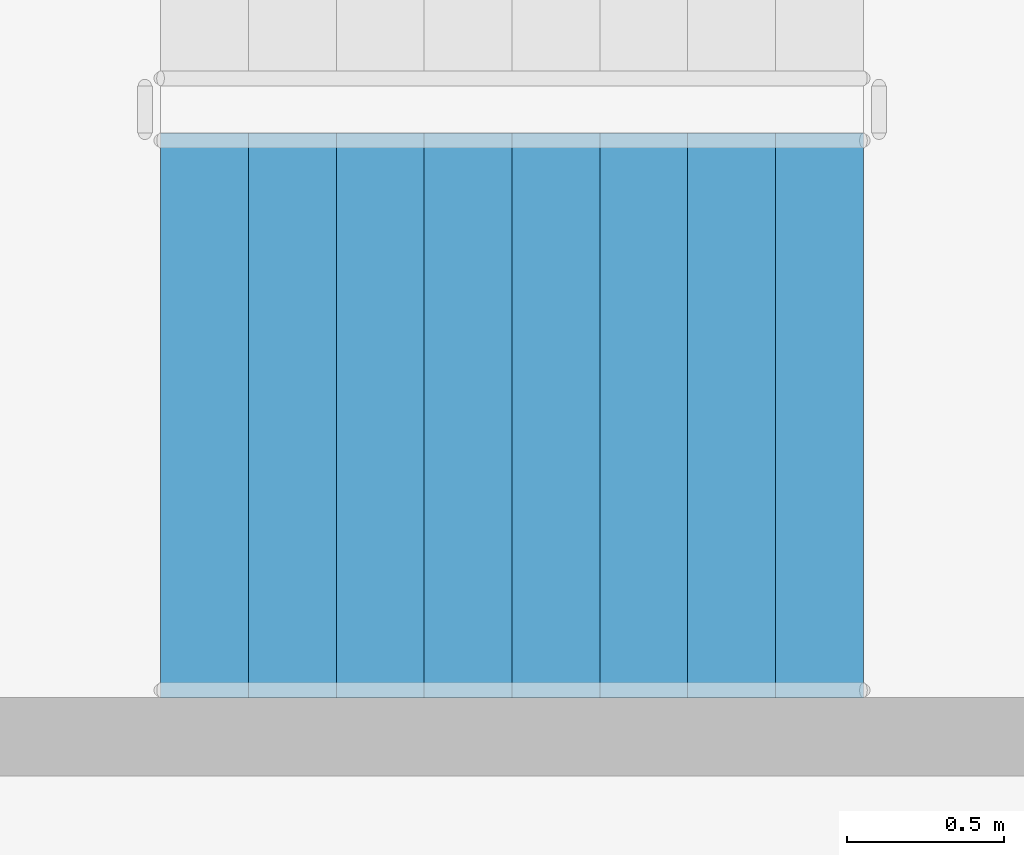
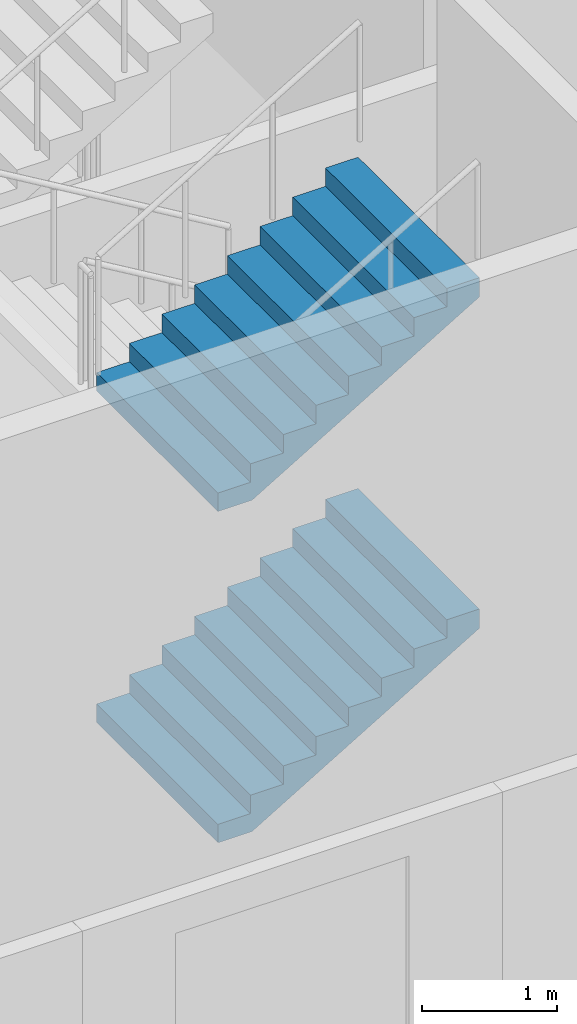
# One storey, part 19 of 39: 2 stair flights, 1 element without a shape of its own.
"""IFC4 building model written with IfcOpenShell, lengths in metres."""

from ifc_helpers import new_model, si_unit, direction, frame, origin, place, context, subcontext, project, spatial, triangles, material, type_object, element, aggregate, save


model = new_model("IFC4")

# Units and contexts
model_context = context("Model", 3, precision=1e-05, world=origin(), true_north=direction((0.0, 1.0)))
body_context = subcontext(model_context, "Body", "Model", "MODEL_VIEW")
ifc_project = project(units=[si_unit("LENGTHUNIT", "METRE"), si_unit("AREAUNIT", "SQUARE_METRE"), si_unit("VOLUMEUNIT", "CUBIC_METRE"), si_unit("PLANEANGLEUNIT", "RADIAN"), si_unit("MASSUNIT", "GRAM", prefix="KILO")], contexts=[model_context])

# Site, building, storey
site_placement = place(None, origin())
site = spatial("IfcSite", under=ifc_project, at=site_placement, CompositionType="ELEMENT")
building_placement = place(site_placement, origin())
building = spatial("IfcBuilding", under=site, at=building_placement, Name="Magnolia Steps Interchange", CompositionType="ELEMENT")
storey_placement = place(building_placement, frame((0.0, 0.0, -11.39990234375)))
storey = spatial("IfcBuildingStorey", under=building, at=storey_placement, Name="B2", CompositionType="ELEMENT", Elevation=-11.39990234375)

# Stair, stair flights
ifc_material_1 = material(Name="Concrete C40", Category="concrete")
stair_type = type_object("IfcStairType", Name="Exit stair 1800", PredefinedType="HALF_TURN_STAIR", material=ifc_material_1)
stair_placement = place(storey_placement, origin())
stair = element("IfcStair", 1, at=stair_placement, inside=storey, type_object=stair_type, Name="B2 Stair 11", PredefinedType="HALF_TURN_STAIR")
ifc_material_2 = material(Name="Concrete C40", Category="concrete")
stair_flight_type = type_object("IfcStairFlightType", Name="Exit stair flight", PredefinedType="STRAIGHT", material=ifc_material_2)
stair_flight_1_placement = place(storey_placement, frame((98.485107421875, 61.02490234375, 1.5), z_axis=(0.0, 0.0, 1.0), x_axis=(1.0, 0.0, 0.0)))
stair_flight_1 = element("IfcStairFlight", 2, at=stair_flight_1_placement, type_object=stair_flight_type, Name="Stair 11 flight 2", NumberOfRisers=9, NumberOfTreads=8, PredefinedType="STRAIGHT", RiserHeight=0.166666667, TreadLength=0.28, context=body_context, shape_type="Tessellation", body=[
    triangles([(0.0, -0.9000244140625, 0.0), (0.29296875, -0.9000244140625, 0.0), (2.239990234375, -0.9000244140625, 1.158935546875), (2.239990234375, -0.9000244140625, 1.333251953125), (1.9599609375, -0.9000244140625, 1.333251953125), (1.9599609375, -0.9000244140625, 1.166748046875), (1.679931640625, -0.9000244140625, 1.166748046875), (1.679931640625, -0.9000244140625, 1.0), (1.39990234375, -0.9000244140625, 1.0), (1.39990234375, -0.9000244140625, 0.833251953125), (1.1201171875, -0.9000244140625, 0.833251953125), (1.1201171875, -0.9000244140625, 0.666748046875), (0.840087890625, -0.9000244140625, 0.666748046875), (0.840087890625, -0.9000244140625, 0.5), (0.56005859375, -0.9000244140625, 0.5), (0.56005859375, -0.9000244140625, 0.333251953125), (0.280029296875, -0.9000244140625, 0.333251953125), (0.280029296875, -0.9000244140625, 0.166748046875), (0.0, -0.9000244140625, 0.166748046875), (0.0, 0.9000244140625, 0.0), (0.29296875, 0.9000244140625, 0.0), (2.239990234375, 0.9000244140625, 1.158935546875), (2.239990234375, 0.9000244140625, 1.333251953125), (1.9599609375, 0.9000244140625, 1.333251953125), (1.9599609375, 0.9000244140625, 1.166748046875), (1.679931640625, 0.9000244140625, 1.166748046875), (1.679931640625, 0.9000244140625, 1.0), (1.39990234375, 0.9000244140625, 1.0), (1.39990234375, 0.9000244140625, 0.833251953125), (1.1201171875, 0.9000244140625, 0.833251953125), (1.1201171875, 0.9000244140625, 0.666748046875), (0.840087890625, 0.9000244140625, 0.666748046875), (0.840087890625, 0.9000244140625, 0.5), (0.56005859375, 0.9000244140625, 0.5), (0.56005859375, 0.9000244140625, 0.333251953125), (0.280029296875, 0.9000244140625, 0.333251953125), (0.280029296875, 0.9000244140625, 0.166748046875), (0.0, 0.9000244140625, 0.166748046875), (0.0, 0.0, 0.0), (0.0, 0.0, 0.04168701171875), (0.0, 0.0, 0.0833740234375), (0.0, 0.0, 0.12506103515625), (0.0, 0.0, 0.166748046875), (0.0, -0.05, 0.0), (0.0, -0.05, 0.166748046875), (0.0, 0.05, 0.0), (0.0, 0.05, 0.166748046875), (0.046671549479166664, 0.0, 0.166748046875), (0.09334309895833333, 0.0, 0.166748046875), (0.1400146484375, 0.0, 0.166748046875), (0.18668619791666666, 0.0, 0.166748046875), (0.23335774739583334, 0.0, 0.166748046875), (0.280029296875, 0.0, 0.166748046875), (0.280029296875, -0.05, 0.166748046875), (0.280029296875, 0.05, 0.166748046875), (0.280029296875, 0.0, 0.2083740234375), (0.280029296875, 0.0, 0.25), (0.280029296875, 0.0, 0.2916259765625), (0.280029296875, 0.0, 0.333251953125), (0.280029296875, -0.05, 0.333251953125), (0.280029296875, 0.05, 0.333251953125), (0.3267008463541667, 0.0, 0.333251953125), (0.3733723958333333, 0.0, 0.333251953125), (0.4200439453125, 0.0, 0.333251953125), (0.46671549479166663, 0.0, 0.333251953125), (0.5133870442708334, 0.0, 0.333251953125), (0.56005859375, 0.0, 0.333251953125), (0.56005859375, -0.05, 0.333251953125), (0.56005859375, 0.05, 0.333251953125), (0.56005859375, 0.0, 0.37493896484375), (0.56005859375, 0.0, 0.4166259765625), (0.56005859375, 0.0, 0.45831298828125), (0.56005859375, 0.0, 0.5), (0.56005859375, -0.05, 0.5), (0.56005859375, 0.05, 0.5), (0.6067301432291666, 0.0, 0.5), (0.6534016927083334, 0.0, 0.5), (0.7000732421875, 0.0, 0.5), (0.7467447916666666, 0.0, 0.5), (0.7934163411458334, 0.0, 0.5), (0.840087890625, 0.0, 0.5), (0.840087890625, -0.05, 0.5), (0.840087890625, 0.05, 0.5), (0.840087890625, 0.0, 0.54168701171875), (0.840087890625, 0.0, 0.5833740234375), (0.840087890625, 0.0, 0.62506103515625), (0.840087890625, 0.0, 0.666748046875), (0.840087890625, -0.05, 0.666748046875), (0.840087890625, 0.05, 0.666748046875), (0.8867594401041666, 0.0, 0.666748046875), (0.9334309895833334, 0.0, 0.666748046875), (0.9801025390625, 0.0, 0.666748046875), (1.0267740885416667, 0.0, 0.666748046875), (1.0734456380208333, 0.0, 0.666748046875), (1.1201171875, 0.0, 0.666748046875), (1.1201171875, -0.05, 0.666748046875), (1.1201171875, 0.05, 0.666748046875), (1.1201171875, 0.0, 0.7083740234375), (1.1201171875, 0.0, 0.75), (1.1201171875, 0.0, 0.7916259765625), (1.1201171875, 0.0, 0.833251953125), (1.1201171875, -0.05, 0.833251953125), (1.1201171875, 0.05, 0.833251953125), (1.1900634765625, 0.0, 0.833251953125), (1.260009765625, 0.0, 0.833251953125), (1.3299560546875, 0.0, 0.833251953125), (1.39990234375, 0.0, 0.833251953125), (1.39990234375, -0.05, 0.833251953125), (1.39990234375, 0.05, 0.833251953125), (1.39990234375, 0.0, 0.87493896484375), (1.39990234375, 0.0, 0.9166259765625), (1.39990234375, 0.0, 0.95831298828125), (1.39990234375, 0.0, 1.0), (1.39990234375, -0.05, 1.0), (1.39990234375, 0.05, 1.0), (1.4465738932291667, 0.0, 1.0), (1.4932454427083333, 0.0, 1.0), (1.5399169921875, 0.0, 1.0), (1.5865885416666667, 0.0, 1.0), (1.6332600911458333, 0.0, 1.0), (1.679931640625, 0.0, 1.0), (1.679931640625, -0.05, 1.0), (1.679931640625, 0.05, 1.0), (1.679931640625, 0.0, 1.04168701171875), (1.679931640625, 0.0, 1.0833740234375), (1.679931640625, 0.0, 1.12506103515625), (1.679931640625, 0.0, 1.166748046875), (1.679931640625, -0.05, 1.166748046875), (1.679931640625, 0.05, 1.166748046875), (1.7266031901041667, 0.0, 1.166748046875), (1.7732747395833333, 0.0, 1.166748046875), (1.8199462890625, 0.0, 1.166748046875), (1.8666178385416667, 0.0, 1.166748046875), (1.9132893880208333, 0.0, 1.166748046875), (1.9599609375, 0.0, 1.166748046875), (1.9599609375, -0.05, 1.166748046875), (1.9599609375, 0.05, 1.166748046875), (1.9599609375, 0.0, 1.2083740234375), (1.9599609375, 0.0, 1.25), (1.9599609375, 0.0, 1.2916259765625), (1.9599609375, 0.0, 1.333251953125), (1.9599609375, -0.05, 1.333251953125), (1.9599609375, 0.05, 1.333251953125), (2.0066324869791665, 0.0, 1.333251953125), (2.0533040364583335, 0.0, 1.333251953125), (2.0999755859375, 0.0, 1.333251953125), (2.1466471354166665, 0.0, 1.333251953125), (2.1933186848958335, 0.0, 1.333251953125), (2.239990234375, 0.0, 1.333251953125), (2.239990234375, -0.05, 1.333251953125), (2.239990234375, 0.05, 1.333251953125), (2.239990234375, 0.0, 1.2896728515625), (2.239990234375, 0.0, 1.24609375), (2.239990234375, 0.0, 1.2025146484375), (2.239990234375, 0.0, 1.158935546875), (2.239990234375, -0.05, 1.158935546875), (2.239990234375, 0.05, 1.158935546875), (2.1827248965992645, 0.0, 1.1248492072610294), (2.1254595588235294, 0.0, 1.0907628676470589), (2.068194221047794, 0.0, 1.0566765280330883), (2.010928883272059, 0.0, 1.0225901884191178), (1.9536635454963236, 0.0, 0.9885038488051471), (1.8963982077205883, 0.0, 0.9544175091911764), (1.8391328699448528, 0.0, 0.9203311695772058), (1.7818675321691178, 0.0, 0.8862448299632353), (1.7246021943933822, 0.0, 0.8521584903492647), (1.6673368566176472, 0.0, 0.8180721507352942), (1.6100715188419117, 0.0, 0.7839858111213236), (1.5528061810661766, 0.0, 0.7498994715073529), (1.4955408432904411, 0.0, 0.7158131318933824), (1.4382755055147058, 0.0, 0.6817267922794117), (1.3810101677389706, 0.0, 0.6476404526654411), (1.3237448299632353, 0.0, 0.6135541130514706), (1.2664794921875, 0.0, 0.5794677734375), (1.2092141544117647, 0.0, 0.5453814338235294), (1.1519488166360294, 0.0, 0.5112950942095589), (1.0946834788602942, 0.0, 0.4772087545955882), (1.0374181410845589, 0.0, 0.44312241498161764), (0.9801528033088236, 0.0, 0.4090360753676471), (0.9228874655330883, 0.0, 0.3749497357536765), (0.865622127757353, 0.0, 0.34086339613970584), (0.8083567899816178, 0.0, 0.3067770565257353), (0.7510914522058822, 0.0, 0.2726907169117647), (0.693826114430147, 0.0, 0.23860437729779416), (0.6365607766544117, 0.0, 0.20451803768382348), (0.5792954388786764, 0.0, 0.17043169806985292), (0.5220301011029411, 0.0, 0.13634535845588225), (0.46476476332720584, 0.0, 0.10225901884191169), (0.40749942555147056, 0.0, 0.06817267922794112), (0.3502340877757353, 0.0, 0.03408633961397056), (0.29296875, 0.0, 0.0), (0.29296875, -0.05, 0.0), (0.29296875, 0.05, 0.0), (0.244140625, 0.0, 0.0), (0.1953125, 0.0, 0.0), (0.146484375, 0.0, 0.0), (0.09765625, 0.0, 0.0), (0.048828125, 0.0, 0.0)], [[1, 2, 3], [3, 4, 5], [3, 5, 6], [3, 6, 7], [3, 7, 8], [8, 9, 10], [3, 8, 10], [10, 11, 12], [3, 10, 12], [12, 13, 14], [3, 12, 14], [14, 15, 16], [3, 14, 16], [1, 3, 16], [16, 17, 18], [1, 16, 18], [18, 19, 1], [20, 22, 21], [22, 24, 23], [22, 25, 24], [22, 26, 25], [22, 27, 26], [27, 29, 28], [22, 29, 27], [29, 31, 30], [22, 31, 29], [31, 33, 32], [22, 33, 31], [33, 35, 34], [22, 35, 33], [20, 35, 22], [35, 37, 36], [20, 37, 35], [37, 20, 38], [1, 19, 45], [1, 45, 44], [44, 40, 39], [44, 41, 40], [44, 45, 41], [45, 42, 41], [45, 43, 42], [20, 47, 38], [20, 46, 47], [46, 39, 40], [46, 40, 41], [46, 41, 47], [47, 41, 42], [47, 42, 43], [19, 18, 54], [19, 54, 45], [45, 48, 43], [45, 49, 48], [45, 50, 49], [45, 54, 50], [54, 51, 50], [54, 52, 51], [54, 53, 52], [38, 55, 37], [38, 47, 55], [47, 43, 48], [47, 48, 49], [47, 49, 50], [47, 50, 55], [55, 50, 51], [55, 51, 52], [55, 52, 53], [18, 17, 60], [18, 60, 54], [54, 56, 53], [54, 57, 56], [54, 60, 57], [60, 58, 57], [60, 59, 58], [37, 61, 36], [37, 55, 61], [55, 53, 56], [55, 56, 57], [55, 57, 61], [61, 57, 58], [61, 58, 59], [17, 16, 68], [17, 68, 60], [60, 62, 59], [60, 63, 62], [60, 64, 63], [60, 68, 64], [68, 65, 64], [68, 66, 65], [68, 67, 66], [36, 69, 35], [36, 61, 69], [61, 59, 62], [61, 62, 63], [61, 63, 64], [61, 64, 69], [69, 64, 65], [69, 65, 66], [69, 66, 67], [16, 15, 74], [16, 74, 68], [68, 70, 67], [68, 71, 70], [68, 74, 71], [74, 72, 71], [74, 73, 72], [35, 75, 34], [35, 69, 75], [69, 67, 70], [69, 70, 71], [69, 71, 75], [75, 71, 72], [75, 72, 73], [15, 14, 82], [15, 82, 74], [74, 76, 73], [74, 77, 76], [74, 78, 77], [74, 82, 78], [82, 79, 78], [82, 80, 79], [82, 81, 80], [34, 83, 33], [34, 75, 83], [75, 73, 76], [75, 76, 77], [75, 77, 78], [75, 78, 83], [83, 78, 79], [83, 79, 80], [83, 80, 81], [14, 13, 88], [14, 88, 82], [82, 84, 81], [82, 85, 84], [82, 88, 85], [88, 86, 85], [88, 87, 86], [33, 89, 32], [33, 83, 89], [83, 81, 84], [83, 84, 85], [83, 85, 89], [89, 85, 86], [89, 86, 87], [13, 12, 96], [13, 96, 88], [88, 90, 87], [88, 91, 90], [88, 92, 91], [88, 96, 92], [96, 93, 92], [96, 94, 93], [96, 95, 94], [32, 97, 31], [32, 89, 97], [89, 87, 90], [89, 90, 91], [89, 91, 92], [89, 92, 97], [97, 92, 93], [97, 93, 94], [97, 94, 95], [12, 11, 102], [12, 102, 96], [96, 98, 95], [96, 99, 98], [96, 102, 99], [102, 100, 99], [102, 101, 100], [31, 103, 30], [31, 97, 103], [97, 95, 98], [97, 98, 99], [97, 99, 103], [103, 99, 100], [103, 100, 101], [11, 10, 108], [11, 108, 102], [102, 104, 101], [102, 105, 104], [102, 108, 105], [108, 106, 105], [108, 107, 106], [30, 109, 29], [30, 103, 109], [103, 101, 104], [103, 104, 105], [103, 105, 109], [109, 105, 106], [109, 106, 107], [10, 9, 114], [10, 114, 108], [108, 110, 107], [108, 111, 110], [108, 114, 111], [114, 112, 111], [114, 113, 112], [29, 115, 28], [29, 109, 115], [109, 107, 110], [109, 110, 111], [109, 111, 115], [115, 111, 112], [115, 112, 113], [9, 8, 122], [9, 122, 114], [114, 116, 113], [114, 117, 116], [114, 118, 117], [114, 122, 118], [122, 119, 118], [122, 120, 119], [122, 121, 120], [28, 123, 27], [28, 115, 123], [115, 113, 116], [115, 116, 117], [115, 117, 118], [115, 118, 123], [123, 118, 119], [123, 119, 120], [123, 120, 121], [8, 7, 128], [8, 128, 122], [122, 124, 121], [122, 125, 124], [122, 128, 125], [128, 126, 125], [128, 127, 126], [27, 129, 26], [27, 123, 129], [123, 121, 124], [123, 124, 125], [123, 125, 129], [129, 125, 126], [129, 126, 127], [7, 6, 136], [7, 136, 128], [128, 130, 127], [128, 131, 130], [128, 132, 131], [128, 136, 132], [136, 133, 132], [136, 134, 133], [136, 135, 134], [26, 137, 25], [26, 129, 137], [129, 127, 130], [129, 130, 131], [129, 131, 132], [129, 132, 137], [137, 132, 133], [137, 133, 134], [137, 134, 135], [6, 5, 142], [6, 142, 136], [136, 138, 135], [136, 139, 138], [136, 142, 139], [142, 140, 139], [142, 141, 140], [25, 143, 24], [25, 137, 143], [137, 135, 138], [137, 138, 139], [137, 139, 143], [143, 139, 140], [143, 140, 141], [5, 4, 150], [5, 150, 142], [142, 144, 141], [142, 145, 144], [142, 146, 145], [142, 150, 146], [150, 147, 146], [150, 148, 147], [150, 149, 148], [24, 151, 23], [24, 143, 151], [143, 141, 144], [143, 144, 145], [143, 145, 146], [143, 146, 151], [151, 146, 147], [151, 147, 148], [151, 148, 149], [4, 3, 156], [4, 156, 150], [150, 152, 149], [150, 153, 152], [150, 156, 153], [156, 154, 153], [156, 155, 154], [23, 157, 22], [23, 151, 157], [151, 149, 152], [151, 152, 153], [151, 153, 157], [157, 153, 154], [157, 154, 155], [3, 2, 192], [3, 192, 156], [156, 158, 155], [156, 159, 158], [156, 160, 159], [156, 161, 160], [156, 162, 161], [156, 163, 162], [156, 164, 163], [156, 165, 164], [156, 166, 165], [156, 167, 166], [156, 168, 167], [156, 169, 168], [156, 170, 169], [156, 171, 170], [156, 172, 171], [156, 173, 172], [156, 174, 173], [156, 192, 174], [192, 175, 174], [192, 176, 175], [192, 177, 176], [192, 178, 177], [192, 179, 178], [192, 180, 179], [192, 181, 180], [192, 182, 181], [192, 183, 182], [192, 184, 183], [192, 185, 184], [192, 186, 185], [192, 187, 186], [192, 188, 187], [192, 189, 188], [192, 190, 189], [192, 191, 190], [22, 193, 21], [22, 157, 193], [157, 155, 158], [157, 158, 159], [157, 159, 160], [157, 160, 161], [157, 161, 162], [157, 162, 163], [157, 163, 164], [157, 164, 165], [157, 165, 166], [157, 166, 167], [157, 167, 168], [157, 168, 169], [157, 169, 170], [157, 170, 171], [157, 171, 172], [157, 172, 173], [157, 173, 174], [157, 174, 193], [193, 174, 175], [193, 175, 176], [193, 176, 177], [193, 177, 178], [193, 178, 179], [193, 179, 180], [193, 180, 181], [193, 181, 182], [193, 182, 183], [193, 183, 184], [193, 184, 185], [193, 185, 186], [193, 186, 187], [193, 187, 188], [193, 188, 189], [193, 189, 190], [193, 190, 191], [2, 1, 44], [2, 44, 192], [192, 194, 191], [192, 195, 194], [192, 196, 195], [192, 44, 196], [44, 197, 196], [44, 198, 197], [44, 39, 198], [21, 46, 20], [21, 193, 46], [193, 191, 194], [193, 194, 195], [193, 195, 196], [193, 196, 46], [46, 196, 197], [46, 197, 198], [46, 198, 39]], closed=True),
])
stair_flight_2_placement = place(storey_placement, frame((98.485107421875, 61.02490234375, 4.5), z_axis=(0.0, 0.0, 1.0), x_axis=(1.0, 0.0, 0.0)))
stair_flight_2 = element("IfcStairFlight", 3, at=stair_flight_2_placement, type_object=stair_flight_type, Name="Stair 11 flight 4", NumberOfRisers=9, NumberOfTreads=8, PredefinedType="STRAIGHT", RiserHeight=0.166666667, TreadLength=0.28, context=body_context, shape_type="Tessellation", body=[
    triangles([(0.0, -0.9000244140625, 0.0), (0.29296875, -0.9000244140625, 0.0), (2.239990234375, -0.9000244140625, 1.158935546875), (2.239990234375, -0.9000244140625, 1.333251953125), (1.9599609375, -0.9000244140625, 1.333251953125), (1.9599609375, -0.9000244140625, 1.166748046875), (1.679931640625, -0.9000244140625, 1.166748046875), (1.679931640625, -0.9000244140625, 1.0), (1.39990234375, -0.9000244140625, 1.0), (1.39990234375, -0.9000244140625, 0.833251953125), (1.1201171875, -0.9000244140625, 0.833251953125), (1.1201171875, -0.9000244140625, 0.666748046875), (0.840087890625, -0.9000244140625, 0.666748046875), (0.840087890625, -0.9000244140625, 0.5), (0.56005859375, -0.9000244140625, 0.5), (0.56005859375, -0.9000244140625, 0.333251953125), (0.280029296875, -0.9000244140625, 0.333251953125), (0.280029296875, -0.9000244140625, 0.166748046875), (0.0, -0.9000244140625, 0.166748046875), (0.0, 0.9000244140625, 0.0), (0.29296875, 0.9000244140625, 0.0), (2.239990234375, 0.9000244140625, 1.158935546875), (2.239990234375, 0.9000244140625, 1.333251953125), (1.9599609375, 0.9000244140625, 1.333251953125), (1.9599609375, 0.9000244140625, 1.166748046875), (1.679931640625, 0.9000244140625, 1.166748046875), (1.679931640625, 0.9000244140625, 1.0), (1.39990234375, 0.9000244140625, 1.0), (1.39990234375, 0.9000244140625, 0.833251953125), (1.1201171875, 0.9000244140625, 0.833251953125), (1.1201171875, 0.9000244140625, 0.666748046875), (0.840087890625, 0.9000244140625, 0.666748046875), (0.840087890625, 0.9000244140625, 0.5), (0.56005859375, 0.9000244140625, 0.5), (0.56005859375, 0.9000244140625, 0.333251953125), (0.280029296875, 0.9000244140625, 0.333251953125), (0.280029296875, 0.9000244140625, 0.166748046875), (0.0, 0.9000244140625, 0.166748046875), (0.0, 0.0, 0.0), (0.0, 0.0, 0.04168701171875), (0.0, 0.0, 0.0833740234375), (0.0, 0.0, 0.12506103515625), (0.0, 0.0, 0.166748046875), (0.0, -0.05, 0.0), (0.0, -0.05, 0.166748046875), (0.0, 0.05, 0.0), (0.0, 0.05, 0.166748046875), (0.046671549479166664, 0.0, 0.166748046875), (0.09334309895833333, 0.0, 0.166748046875), (0.1400146484375, 0.0, 0.166748046875), (0.18668619791666666, 0.0, 0.166748046875), (0.23335774739583334, 0.0, 0.166748046875), (0.280029296875, 0.0, 0.166748046875), (0.280029296875, -0.05, 0.166748046875), (0.280029296875, 0.05, 0.166748046875), (0.280029296875, 0.0, 0.2083740234375), (0.280029296875, 0.0, 0.25), (0.280029296875, 0.0, 0.2916259765625), (0.280029296875, 0.0, 0.333251953125), (0.280029296875, -0.05, 0.333251953125), (0.280029296875, 0.05, 0.333251953125), (0.3267008463541667, 0.0, 0.333251953125), (0.3733723958333333, 0.0, 0.333251953125), (0.4200439453125, 0.0, 0.333251953125), (0.46671549479166663, 0.0, 0.333251953125), (0.5133870442708334, 0.0, 0.333251953125), (0.56005859375, 0.0, 0.333251953125), (0.56005859375, -0.05, 0.333251953125), (0.56005859375, 0.05, 0.333251953125), (0.56005859375, 0.0, 0.37493896484375), (0.56005859375, 0.0, 0.4166259765625), (0.56005859375, 0.0, 0.45831298828125), (0.56005859375, 0.0, 0.5), (0.56005859375, -0.05, 0.5), (0.56005859375, 0.05, 0.5), (0.6067301432291666, 0.0, 0.5), (0.6534016927083334, 0.0, 0.5), (0.7000732421875, 0.0, 0.5), (0.7467447916666666, 0.0, 0.5), (0.7934163411458334, 0.0, 0.5), (0.840087890625, 0.0, 0.5), (0.840087890625, -0.05, 0.5), (0.840087890625, 0.05, 0.5), (0.840087890625, 0.0, 0.54168701171875), (0.840087890625, 0.0, 0.5833740234375), (0.840087890625, 0.0, 0.62506103515625), (0.840087890625, 0.0, 0.666748046875), (0.840087890625, -0.05, 0.666748046875), (0.840087890625, 0.05, 0.666748046875), (0.8867594401041666, 0.0, 0.666748046875), (0.9334309895833334, 0.0, 0.666748046875), (0.9801025390625, 0.0, 0.666748046875), (1.0267740885416667, 0.0, 0.666748046875), (1.0734456380208333, 0.0, 0.666748046875), (1.1201171875, 0.0, 0.666748046875), (1.1201171875, -0.05, 0.666748046875), (1.1201171875, 0.05, 0.666748046875), (1.1201171875, 0.0, 0.7083740234375), (1.1201171875, 0.0, 0.75), (1.1201171875, 0.0, 0.7916259765625), (1.1201171875, 0.0, 0.833251953125), (1.1201171875, -0.05, 0.833251953125), (1.1201171875, 0.05, 0.833251953125), (1.1900634765625, 0.0, 0.833251953125), (1.260009765625, 0.0, 0.833251953125), (1.3299560546875, 0.0, 0.833251953125), (1.39990234375, 0.0, 0.833251953125), (1.39990234375, -0.05, 0.833251953125), (1.39990234375, 0.05, 0.833251953125), (1.39990234375, 0.0, 0.87493896484375), (1.39990234375, 0.0, 0.9166259765625), (1.39990234375, 0.0, 0.95831298828125), (1.39990234375, 0.0, 1.0), (1.39990234375, -0.05, 1.0), (1.39990234375, 0.05, 1.0), (1.4465738932291667, 0.0, 1.0), (1.4932454427083333, 0.0, 1.0), (1.5399169921875, 0.0, 1.0), (1.5865885416666667, 0.0, 1.0), (1.6332600911458333, 0.0, 1.0), (1.679931640625, 0.0, 1.0), (1.679931640625, -0.05, 1.0), (1.679931640625, 0.05, 1.0), (1.679931640625, 0.0, 1.04168701171875), (1.679931640625, 0.0, 1.0833740234375), (1.679931640625, 0.0, 1.12506103515625), (1.679931640625, 0.0, 1.166748046875), (1.679931640625, -0.05, 1.166748046875), (1.679931640625, 0.05, 1.166748046875), (1.7266031901041667, 0.0, 1.166748046875), (1.7732747395833333, 0.0, 1.166748046875), (1.8199462890625, 0.0, 1.166748046875), (1.8666178385416667, 0.0, 1.166748046875), (1.9132893880208333, 0.0, 1.166748046875), (1.9599609375, 0.0, 1.166748046875), (1.9599609375, -0.05, 1.166748046875), (1.9599609375, 0.05, 1.166748046875), (1.9599609375, 0.0, 1.2083740234375), (1.9599609375, 0.0, 1.25), (1.9599609375, 0.0, 1.2916259765625), (1.9599609375, 0.0, 1.333251953125), (1.9599609375, -0.05, 1.333251953125), (1.9599609375, 0.05, 1.333251953125), (2.0066324869791665, 0.0, 1.333251953125), (2.0533040364583335, 0.0, 1.333251953125), (2.0999755859375, 0.0, 1.333251953125), (2.1466471354166665, 0.0, 1.333251953125), (2.1933186848958335, 0.0, 1.333251953125), (2.239990234375, 0.0, 1.333251953125), (2.239990234375, -0.05, 1.333251953125), (2.239990234375, 0.05, 1.333251953125), (2.239990234375, 0.0, 1.2896728515625), (2.239990234375, 0.0, 1.24609375), (2.239990234375, 0.0, 1.2025146484375), (2.239990234375, 0.0, 1.158935546875), (2.239990234375, -0.05, 1.158935546875), (2.239990234375, 0.05, 1.158935546875), (2.1827248965992645, 0.0, 1.1248492072610294), (2.1254595588235294, 0.0, 1.0907628676470589), (2.068194221047794, 0.0, 1.0566765280330883), (2.010928883272059, 0.0, 1.0225901884191178), (1.9536635454963236, 0.0, 0.9885038488051471), (1.8963982077205883, 0.0, 0.9544175091911764), (1.8391328699448528, 0.0, 0.9203311695772058), (1.7818675321691178, 0.0, 0.8862448299632353), (1.7246021943933822, 0.0, 0.8521584903492647), (1.6673368566176472, 0.0, 0.8180721507352942), (1.6100715188419117, 0.0, 0.7839858111213236), (1.5528061810661766, 0.0, 0.7498994715073529), (1.4955408432904411, 0.0, 0.7158131318933824), (1.4382755055147058, 0.0, 0.6817267922794117), (1.3810101677389706, 0.0, 0.6476404526654411), (1.3237448299632353, 0.0, 0.6135541130514706), (1.2664794921875, 0.0, 0.5794677734375), (1.2092141544117647, 0.0, 0.5453814338235294), (1.1519488166360294, 0.0, 0.5112950942095589), (1.0946834788602942, 0.0, 0.4772087545955882), (1.0374181410845589, 0.0, 0.44312241498161764), (0.9801528033088236, 0.0, 0.4090360753676471), (0.9228874655330883, 0.0, 0.3749497357536765), (0.865622127757353, 0.0, 0.34086339613970584), (0.8083567899816178, 0.0, 0.3067770565257353), (0.7510914522058822, 0.0, 0.2726907169117647), (0.693826114430147, 0.0, 0.23860437729779416), (0.6365607766544117, 0.0, 0.20451803768382348), (0.5792954388786764, 0.0, 0.17043169806985292), (0.5220301011029411, 0.0, 0.13634535845588225), (0.46476476332720584, 0.0, 0.10225901884191169), (0.40749942555147056, 0.0, 0.06817267922794112), (0.3502340877757353, 0.0, 0.03408633961397056), (0.29296875, 0.0, 0.0), (0.29296875, -0.05, 0.0), (0.29296875, 0.05, 0.0), (0.244140625, 0.0, 0.0), (0.1953125, 0.0, 0.0), (0.146484375, 0.0, 0.0), (0.09765625, 0.0, 0.0), (0.048828125, 0.0, 0.0)], [[1, 2, 3], [3, 4, 5], [3, 5, 6], [3, 6, 7], [3, 7, 8], [8, 9, 10], [3, 8, 10], [10, 11, 12], [3, 10, 12], [12, 13, 14], [3, 12, 14], [14, 15, 16], [3, 14, 16], [1, 3, 16], [16, 17, 18], [1, 16, 18], [18, 19, 1], [20, 22, 21], [22, 24, 23], [22, 25, 24], [22, 26, 25], [22, 27, 26], [27, 29, 28], [22, 29, 27], [29, 31, 30], [22, 31, 29], [31, 33, 32], [22, 33, 31], [33, 35, 34], [22, 35, 33], [20, 35, 22], [35, 37, 36], [20, 37, 35], [37, 20, 38], [1, 19, 45], [1, 45, 44], [44, 40, 39], [44, 41, 40], [44, 45, 41], [45, 42, 41], [45, 43, 42], [20, 47, 38], [20, 46, 47], [46, 39, 40], [46, 40, 41], [46, 41, 47], [47, 41, 42], [47, 42, 43], [19, 18, 54], [19, 54, 45], [45, 48, 43], [45, 49, 48], [45, 50, 49], [45, 54, 50], [54, 51, 50], [54, 52, 51], [54, 53, 52], [38, 55, 37], [38, 47, 55], [47, 43, 48], [47, 48, 49], [47, 49, 50], [47, 50, 55], [55, 50, 51], [55, 51, 52], [55, 52, 53], [18, 17, 60], [18, 60, 54], [54, 56, 53], [54, 57, 56], [54, 60, 57], [60, 58, 57], [60, 59, 58], [37, 61, 36], [37, 55, 61], [55, 53, 56], [55, 56, 57], [55, 57, 61], [61, 57, 58], [61, 58, 59], [17, 16, 68], [17, 68, 60], [60, 62, 59], [60, 63, 62], [60, 64, 63], [60, 68, 64], [68, 65, 64], [68, 66, 65], [68, 67, 66], [36, 69, 35], [36, 61, 69], [61, 59, 62], [61, 62, 63], [61, 63, 64], [61, 64, 69], [69, 64, 65], [69, 65, 66], [69, 66, 67], [16, 15, 74], [16, 74, 68], [68, 70, 67], [68, 71, 70], [68, 74, 71], [74, 72, 71], [74, 73, 72], [35, 75, 34], [35, 69, 75], [69, 67, 70], [69, 70, 71], [69, 71, 75], [75, 71, 72], [75, 72, 73], [15, 14, 82], [15, 82, 74], [74, 76, 73], [74, 77, 76], [74, 78, 77], [74, 82, 78], [82, 79, 78], [82, 80, 79], [82, 81, 80], [34, 83, 33], [34, 75, 83], [75, 73, 76], [75, 76, 77], [75, 77, 78], [75, 78, 83], [83, 78, 79], [83, 79, 80], [83, 80, 81], [14, 13, 88], [14, 88, 82], [82, 84, 81], [82, 85, 84], [82, 88, 85], [88, 86, 85], [88, 87, 86], [33, 89, 32], [33, 83, 89], [83, 81, 84], [83, 84, 85], [83, 85, 89], [89, 85, 86], [89, 86, 87], [13, 12, 96], [13, 96, 88], [88, 90, 87], [88, 91, 90], [88, 92, 91], [88, 96, 92], [96, 93, 92], [96, 94, 93], [96, 95, 94], [32, 97, 31], [32, 89, 97], [89, 87, 90], [89, 90, 91], [89, 91, 92], [89, 92, 97], [97, 92, 93], [97, 93, 94], [97, 94, 95], [12, 11, 102], [12, 102, 96], [96, 98, 95], [96, 99, 98], [96, 102, 99], [102, 100, 99], [102, 101, 100], [31, 103, 30], [31, 97, 103], [97, 95, 98], [97, 98, 99], [97, 99, 103], [103, 99, 100], [103, 100, 101], [11, 10, 108], [11, 108, 102], [102, 104, 101], [102, 105, 104], [102, 108, 105], [108, 106, 105], [108, 107, 106], [30, 109, 29], [30, 103, 109], [103, 101, 104], [103, 104, 105], [103, 105, 109], [109, 105, 106], [109, 106, 107], [10, 9, 114], [10, 114, 108], [108, 110, 107], [108, 111, 110], [108, 114, 111], [114, 112, 111], [114, 113, 112], [29, 115, 28], [29, 109, 115], [109, 107, 110], [109, 110, 111], [109, 111, 115], [115, 111, 112], [115, 112, 113], [9, 8, 122], [9, 122, 114], [114, 116, 113], [114, 117, 116], [114, 118, 117], [114, 122, 118], [122, 119, 118], [122, 120, 119], [122, 121, 120], [28, 123, 27], [28, 115, 123], [115, 113, 116], [115, 116, 117], [115, 117, 118], [115, 118, 123], [123, 118, 119], [123, 119, 120], [123, 120, 121], [8, 7, 128], [8, 128, 122], [122, 124, 121], [122, 125, 124], [122, 128, 125], [128, 126, 125], [128, 127, 126], [27, 129, 26], [27, 123, 129], [123, 121, 124], [123, 124, 125], [123, 125, 129], [129, 125, 126], [129, 126, 127], [7, 6, 136], [7, 136, 128], [128, 130, 127], [128, 131, 130], [128, 132, 131], [128, 136, 132], [136, 133, 132], [136, 134, 133], [136, 135, 134], [26, 137, 25], [26, 129, 137], [129, 127, 130], [129, 130, 131], [129, 131, 132], [129, 132, 137], [137, 132, 133], [137, 133, 134], [137, 134, 135], [6, 5, 142], [6, 142, 136], [136, 138, 135], [136, 139, 138], [136, 142, 139], [142, 140, 139], [142, 141, 140], [25, 143, 24], [25, 137, 143], [137, 135, 138], [137, 138, 139], [137, 139, 143], [143, 139, 140], [143, 140, 141], [5, 4, 150], [5, 150, 142], [142, 144, 141], [142, 145, 144], [142, 146, 145], [142, 150, 146], [150, 147, 146], [150, 148, 147], [150, 149, 148], [24, 151, 23], [24, 143, 151], [143, 141, 144], [143, 144, 145], [143, 145, 146], [143, 146, 151], [151, 146, 147], [151, 147, 148], [151, 148, 149], [4, 3, 156], [4, 156, 150], [150, 152, 149], [150, 153, 152], [150, 156, 153], [156, 154, 153], [156, 155, 154], [23, 157, 22], [23, 151, 157], [151, 149, 152], [151, 152, 153], [151, 153, 157], [157, 153, 154], [157, 154, 155], [3, 2, 192], [3, 192, 156], [156, 158, 155], [156, 159, 158], [156, 160, 159], [156, 161, 160], [156, 162, 161], [156, 163, 162], [156, 164, 163], [156, 165, 164], [156, 166, 165], [156, 167, 166], [156, 168, 167], [156, 169, 168], [156, 170, 169], [156, 171, 170], [156, 172, 171], [156, 173, 172], [156, 174, 173], [156, 192, 174], [192, 175, 174], [192, 176, 175], [192, 177, 176], [192, 178, 177], [192, 179, 178], [192, 180, 179], [192, 181, 180], [192, 182, 181], [192, 183, 182], [192, 184, 183], [192, 185, 184], [192, 186, 185], [192, 187, 186], [192, 188, 187], [192, 189, 188], [192, 190, 189], [192, 191, 190], [22, 193, 21], [22, 157, 193], [157, 155, 158], [157, 158, 159], [157, 159, 160], [157, 160, 161], [157, 161, 162], [157, 162, 163], [157, 163, 164], [157, 164, 165], [157, 165, 166], [157, 166, 167], [157, 167, 168], [157, 168, 169], [157, 169, 170], [157, 170, 171], [157, 171, 172], [157, 172, 173], [157, 173, 174], [157, 174, 193], [193, 174, 175], [193, 175, 176], [193, 176, 177], [193, 177, 178], [193, 178, 179], [193, 179, 180], [193, 180, 181], [193, 181, 182], [193, 182, 183], [193, 183, 184], [193, 184, 185], [193, 185, 186], [193, 186, 187], [193, 187, 188], [193, 188, 189], [193, 189, 190], [193, 190, 191], [2, 1, 44], [2, 44, 192], [192, 194, 191], [192, 195, 194], [192, 196, 195], [192, 44, 196], [44, 197, 196], [44, 198, 197], [44, 39, 198], [21, 46, 20], [21, 193, 46], [193, 191, 194], [193, 194, 195], [193, 195, 196], [193, 196, 46], [46, 196, 197], [46, 197, 198], [46, 198, 39]], closed=True),
])
aggregate(stair, [stair_flight_1, stair_flight_2])

save(model, "model.ifc")
